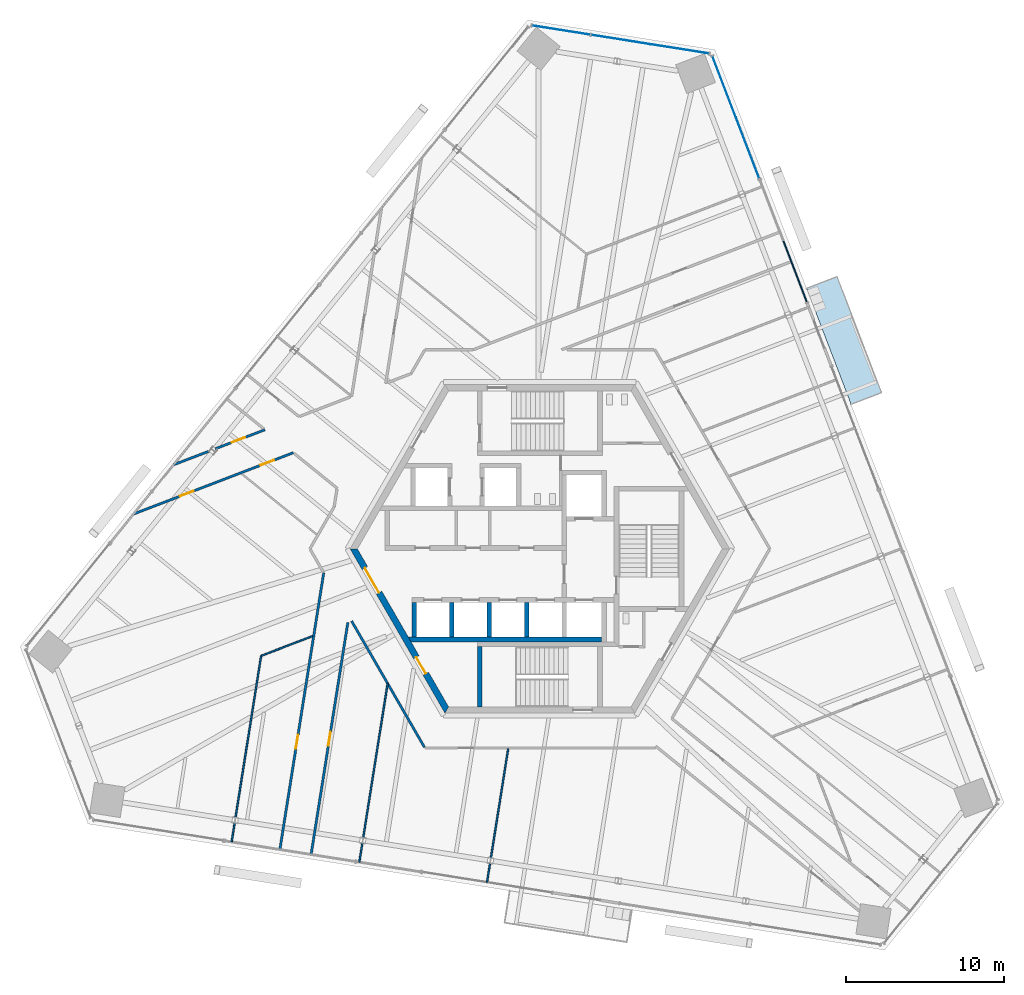
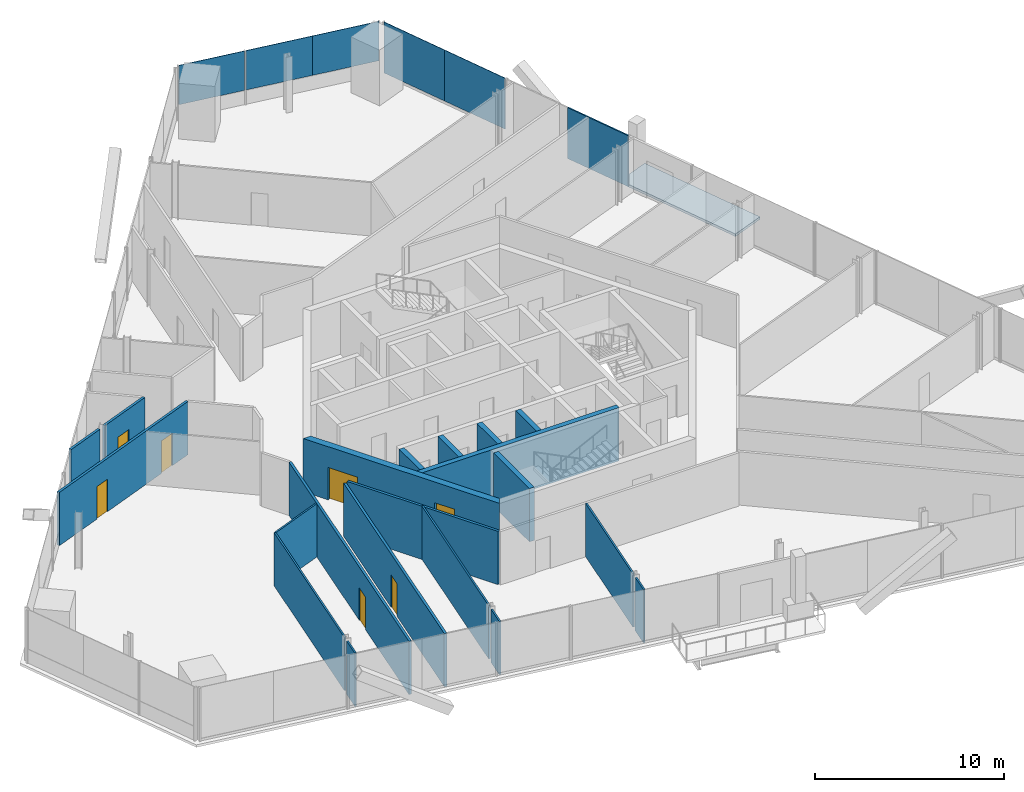
# One storey, part 11 of 19: 20 walls, 7 doors, 6 plates, 1 slab, 7 openings, 3 elements without a shape of their own.
"""IFC4 building model written with IfcOpenShell, lengths in metres."""

from ifc_helpers import new_model, si_unit, direction, frame, frame_2d, origin, origin_2d, place, context, subcontext, project, spatial, polyline, rectangle, outline, extrude, source, transform, mapped, material, layer, layer_set, type_object, element, fill, aggregate, save


model = new_model("IFC4")

# Units and contexts
model_context = context("Model", 3, precision=1e-05, world=origin(), true_north=direction((0.0, 1.0)))
body_context = subcontext(model_context, "Body", "Model", "MODEL_VIEW")
ifc_project = project(units=[si_unit("LENGTHUNIT", "METRE"), si_unit("AREAUNIT", "SQUARE_METRE"), si_unit("VOLUMEUNIT", "CUBIC_METRE"), si_unit("PLANEANGLEUNIT", "RADIAN"), si_unit("MASSUNIT", "GRAM", prefix="KILO")], contexts=[model_context])

# Site, building, storey
site_placement = place(None, origin())
site = spatial("IfcSite", under=ifc_project, at=site_placement, CompositionType="ELEMENT")
building_placement = place(site_placement, origin())
building = spatial("IfcBuilding", under=site, at=building_placement, Name="Triune Harvest Tower", CompositionType="ELEMENT")
storey_placement = place(building_placement, frame((0.0, 0.0, 164.10009765625)))
storey = spatial("IfcBuildingStorey", under=building, at=storey_placement, Name="L42", CompositionType="ELEMENT", Elevation=164.10009765625)

# Slab
ifc_material_1 = material(Name="Concrete 40 MPa", Category="concrete")
ifc_layer_1 = layer(ifc_material_1, 0.159912109375)
ifc_layer_set_1 = layer_set([ifc_layer_1], Name="Concrete 40 MPa")
slab_type = type_object("IfcSlabType", Name="BA-1 balcony slab 160", PredefinedType="FLOOR", material=ifc_layer_set_1)
slab_placement = place(storey_placement, frame((0.0, 0.0, -0.16015625)))
element("IfcSlab", 1, at=slab_placement, inside=storey, type_object=slab_type, Name="Balcony slab B4-F1 L42.8", PredefinedType="FLOOR", context=body_context, shape_type="SweptSolid", body=[
    extrude(outline(polyline([(19.682373046875, 9.14013671875), (16.868408203125, 16.470703125), (18.792724609375, 17.20947265625), (21.606689453125, 9.87890625), (19.682373046875, 9.14013671875)])), origin(), (0.0, 0.0, 1.0), 0.16015625),
])

# Curtain wall, plate
ifc_material_2 = material(Name="Aluminium bronze anodised", Category="aluminium")
curtain_wall_type_1 = type_object("IfcCurtainWallType", Name="CW-10 Balcony window wall with insulated spandrel infill", PredefinedType="NOTDEFINED", material=ifc_material_2)
curtain_wall_1_placement = place(storey_placement, origin())
curtain_wall_1 = element("IfcCurtainWall", 2, at=curtain_wall_1_placement, inside=storey, type_object=curtain_wall_type_1, Name="CW-10 B4-F1 L42 run 2")
ifc_material_3 = material(Name="Insulated spandrel panel, bronze aluminium pan", Category="aluminium")
ifc_layer_2 = layer(ifc_material_3, 0.080078125)
ifc_layer_set_2 = layer_set([ifc_layer_2], Name="Insulated spandrel panel, bronze aluminium pan")
plate_type_1 = type_object("IfcPlateType", Name="SP-1 insulated spandrel panel 80", PredefinedType="CURTAIN_PANEL", material=ifc_layer_set_2)
shared_shape_1 = source(origin(), body_context, "Body", "SweptSolid", [
    extrude(rectangle(XDim=4.12353515625, YDim=0.080078125, at=origin_2d()), origin(), (0.0, 0.0, 1.0), 3.2900390625),
])
plate_1_placement = place(storey_placement, frame((16.141357421875, 17.52783203125, 0.14990234375), z_axis=(0.0, 0.0, 1.0), x_axis=(-0.358365075175, 0.93358152986, 0.0)))
plate_1 = element("IfcPlate", 3, at=plate_1_placement, type_object=plate_type_1, Name="CW-10 panel B4-F1 2.1", PredefinedType="CURTAIN_PANEL", context=body_context, shape_type="MappedRepresentation", body=[
    mapped(shared_shape_1, transform((0.0, 0.0, 0.0), scale=1.0)),
])
aggregate(curtain_wall_1, [plate_1])

# Curtain wall, plates
ifc_material_4 = material(Name="Aluminium bronze anodised", Category="aluminium")
curtain_wall_type_2 = type_object("IfcCurtainWallType", Name="CW-1 Tower stick curtain wall", PredefinedType="NOTDEFINED", material=ifc_material_4)
curtain_wall_2_placement = place(storey_placement, origin())
curtain_wall_2 = element("IfcCurtainWall", 4, at=curtain_wall_2_placement, inside=storey, type_object=curtain_wall_type_2, Name="CW-1 B4-F2 L42 run 1")
ifc_material_5 = material(Name="Glass", Category="glass")
ifc_layer_3 = layer(ifc_material_5, 0.031982421875)
ifc_layer_set_3 = layer_set([ifc_layer_3], Name="Glass")
plate_type_2 = type_object("IfcPlateType", Name="GL-1 panel 32", PredefinedType="CURTAIN_PANEL", material=ifc_layer_set_3)
shared_shape_2 = source(origin(), body_context, "Body", "SweptSolid", [
    extrude(rectangle(XDim=3.74951171875, YDim=0.031982421875, at=origin_2d()), origin(), (0.0, 0.0, 1.0), 2.5400390625),
])
plate_2_placement = place(storey_placement, frame((8.841552734375, 31.614990234375, 0.89990234375), z_axis=(0.0, 0.0, 1.0), x_axis=(-0.987688615663, 0.156432728322, 0.0)))
plate_2 = element("IfcPlate", 5, at=plate_2_placement, type_object=plate_type_2, Name="CW-1 panel B4-F2 1.1", PredefinedType="CURTAIN_PANEL", context=body_context, shape_type="MappedRepresentation", body=[
    mapped(shared_shape_2, transform((0.0, 0.0, 0.0), scale=1.0)),
])
shared_shape_3 = source(origin(), body_context, "Body", "SweptSolid", [
    extrude(rectangle(XDim=3.787109375, YDim=0.031982421875, at=origin_2d()), origin(), (0.0, 0.0, 1.0), 2.5400390625),
])
plate_3_placement = place(storey_placement, frame((5.11962890625, 32.20458984375, 0.89990234375), z_axis=(0.0, 0.0, 1.0), x_axis=(-0.987688615663, 0.156432728322, 0.0)))
plate_3 = element("IfcPlate", 6, at=plate_3_placement, type_object=plate_type_2, Name="CW-1 panel B4-F2 1.2", PredefinedType="CURTAIN_PANEL", context=body_context, shape_type="MappedRepresentation", body=[
    mapped(shared_shape_3, transform((0.0, 0.0, 0.0), scale=1.0)),
])
shared_shape_4 = source(origin(), body_context, "Body", "SweptSolid", [
    extrude(rectangle(XDim=3.7119140625, YDim=0.031982421875, at=origin_2d()), origin(), (0.0, 0.0, 1.0), 2.5400390625),
])
plate_4_placement = place(storey_placement, frame((1.34228515625, 32.802734375, 0.89990234375), z_axis=(0.0, 0.0, 1.0), x_axis=(-0.987688615663, 0.156432728322, 0.0)))
plate_4 = element("IfcPlate", 7, at=plate_4_placement, type_object=plate_type_2, Name="CW-1 panel B4-F2 1.3", PredefinedType="CURTAIN_PANEL", context=body_context, shape_type="MappedRepresentation", body=[
    mapped(shared_shape_4, transform((0.0, 0.0, 0.0), scale=1.0)),
])
aggregate(curtain_wall_2, [plate_2, plate_3, plate_4])

ifc_material_6 = material(Name="Aluminium bronze anodised", Category="aluminium")
curtain_wall_type_3 = type_object("IfcCurtainWallType", Name="CW-6 Balcony window wall", PredefinedType="NOTDEFINED", material=ifc_material_6)
curtain_wall_3_placement = place(storey_placement, origin())
curtain_wall_3 = element("IfcCurtainWall", 8, at=curtain_wall_3_placement, inside=storey, type_object=curtain_wall_type_3, Name="CW-6 B4-F1 L42 run 1002")
ifc_material_7 = material(Name="Glass", Category="glass")
ifc_layer_4 = layer(ifc_material_7, 0.030029296875)
ifc_layer_set_4 = layer_set([ifc_layer_4], Name="Glass")
plate_type_3 = type_object("IfcPlateType", Name="GL-6 panel 30", PredefinedType="CURTAIN_PANEL", material=ifc_layer_set_4)
shared_shape_5 = source(origin(), body_context, "Body", "SweptSolid", [
    extrude(rectangle(XDim=4.12353515625, YDim=0.030029296875, at=origin_2d()), origin(), (0.0, 0.0, 1.0), 3.2900390625),
])
plate_5_placement = place(storey_placement, frame((13.132080078125, 25.367431640625, 0.14990234375), z_axis=(0.0, 0.0, 1.0), x_axis=(-0.358373469426, 0.933578307595, 0.0)))
plate_5 = element("IfcPlate", 9, at=plate_5_placement, type_object=plate_type_3, Name="CW-6 panel B4-F1 1002.1", PredefinedType="CURTAIN_PANEL", context=body_context, shape_type="MappedRepresentation", body=[
    mapped(shared_shape_5, transform((0.0, 0.0, 0.0), scale=1.0)),
])
plate_6_placement = place(storey_placement, frame((11.654296875, 29.217041015625, 0.14990234375), z_axis=(0.0, 0.0, 1.0), x_axis=(-0.358373469426, 0.933578307595, 0.0)))
plate_6 = element("IfcPlate", 10, at=plate_6_placement, type_object=plate_type_3, Name="CW-6 panel B4-F1 1002.2", PredefinedType="CURTAIN_PANEL", context=body_context, shape_type="MappedRepresentation", body=[
    mapped(shared_shape_5, transform((0.0, 0.0, 0.0), scale=1.0)),
])
aggregate(curtain_wall_3, [plate_5, plate_6])

# Wall, openings, doors
ifc_material_8 = material(Name="Concrete 70 MPa", Category="concrete")
ifc_layer_5 = layer(ifc_material_8, 0.39990234375)
ifc_layer_set_5 = layer_set([ifc_layer_5], Name="Concrete 70 MPa")
wall_type_1 = type_object("IfcWallType", Name="Core wall 400", PredefinedType="SHEAR", material=ifc_layer_set_5)
shared_shape_6 = source(origin(), body_context, "Body", "SweptSolid", [
    extrude(outline(polyline([(-0.115478515625, -0.199951171875), (11.884521484375, -0.199951171875), (11.653564453125, 0.199951171875), (0.115478515625, 0.199951171875), (-0.115478515625, -0.199951171875)])), origin(), (0.0, 0.0, 1.0), 3.43994140625),
])
wall_1_placement = place(storey_placement, frame((-11.76904296875, 0.0, 0.0), z_axis=(0.0, 0.0, 1.0), x_axis=(0.499996592174, -0.866027371285, 0.0)))
wall_1 = element("IfcWall", 11, at=wall_1_placement, inside=storey, type_object=wall_type_1, Name="Hexagon 3 wall", PredefinedType="SHEAR", context=body_context, shape_type="MappedRepresentation", body=[
    mapped(shared_shape_6, transform((0.0, 0.0, 0.0), scale=1.0)),
])
opening_1_placement = place(wall_1_placement, frame((1.404541015625, 0.0, 0.0)))
opening_1 = element("IfcOpeningElement", 12, at=opening_1_placement, cuts=wall_1, Name="Opening CD-LS", PredefinedType="OPENING", context=body_context, shape_type="SweptSolid", body=[
    extrude(rectangle(XDim=1.800048828125, YDim=2.10009765625, at=frame_2d((0.89990234375, 1.050048828125))), frame((0.0, 0.2099609375, 0.0), z_axis=(0.0, -1.0, 0.0), x_axis=(1.0, 0.0, 0.0)), (0.0, 0.0, 1.0), 0.419921875),
])
opening_2_placement = place(wall_1_placement, frame((7.91455078125, 0.0, 0.0)))
opening_2 = element("IfcOpeningElement", 13, at=opening_2_placement, cuts=wall_1, Name="Opening CD-SWP", PredefinedType="OPENING", context=body_context, shape_type="SweptSolid", body=[
    extrude(rectangle(XDim=1.199951171875, YDim=2.10009765625, at=frame_2d((0.60009765625, 1.050048828125))), frame((0.0, 0.2099609375, 0.0), z_axis=(0.0, -1.0, 0.0), x_axis=(1.0, 0.0, 0.0)), (0.0, 0.0, 1.0), 0.419921875),
])
ifc_material_9 = material(Name="Steel S235", Category="steel")
door_type_1 = type_object("IfcDoorType", Name="Lobby door 1800 FD120", OperationType="DOUBLE_DOOR_DOUBLE_SWING", PredefinedType="DOOR", material=ifc_material_9)
door_1_placement = place(opening_1_placement, frame((1.800048828125, 0.0, 0.0), z_axis=(0.0, 0.0, 1.0), x_axis=(-1.0, 0.0, 0.0)))
door_1 = element("IfcDoor", 14, at=door_1_placement, inside=storey, type_object=door_type_1, Name="Door CD-LS", OperationType="DOUBLE_DOOR_DOUBLE_SWING", OverallHeight=2.10009765625, OverallWidth=1.800048828125, PredefinedType="DOOR", context=body_context, shape_type="SweptSolid", body=[
    extrude(rectangle(XDim=1.800048828125, YDim=2.10009765625, at=frame_2d((0.89990234375, 1.050048828125))), frame((0.0, 0.02490234375, 0.0), z_axis=(0.0, -1.0, 0.0), x_axis=(1.0, 0.0, 0.0)), (0.0, 0.0, 1.0), 0.050048828125),
])
fill(opening_1, door_1)
ifc_material_10 = material(Name="Steel S235", Category="steel")
door_type_2 = type_object("IfcDoorType", Name="Service door 1200 FD120", OperationType="SINGLE_SWING_LEFT", PredefinedType="DOOR", material=ifc_material_10)
door_2_placement = place(opening_2_placement, frame((1.199951171875, 0.0, 0.0), z_axis=(0.0, 0.0, 1.0), x_axis=(-1.0, 0.0, 0.0)))
door_2 = element("IfcDoor", 15, at=door_2_placement, inside=storey, type_object=door_type_2, Name="Door CD-SWP", OperationType="SINGLE_SWING_RIGHT", OverallHeight=2.10009765625, OverallWidth=1.199951171875, PredefinedType="DOOR", context=body_context, shape_type="SweptSolid", body=[
    extrude(rectangle(XDim=1.199951171875, YDim=2.10009765625, at=frame_2d((0.60009765625, 1.050048828125))), frame((0.0, 0.02490234375, 0.0), z_axis=(0.0, -1.0, 0.0), x_axis=(1.0, 0.0, 0.0)), (0.0, 0.0, 1.0), 0.050048828125),
])
fill(opening_2, door_2)

# Walls
ifc_material_11 = material(Name="Concrete 70 MPa", Category="concrete")
ifc_layer_6 = layer(ifc_material_11, 0.300048828125)
ifc_layer_set_6 = layer_set([ifc_layer_6], Name="Concrete 70 MPa")
wall_type_2 = type_object("IfcWallType", Name="Core wall 300", PredefinedType="SHEAR", material=ifc_layer_set_6)
shared_shape_7 = source(origin(), body_context, "Body", "SweptSolid", [
    extrude(outline(polyline([(12.0, -0.14990234375), (-0.039794921875, -0.14990234375), (-0.212890625, 0.14990234375), (12.0, 0.14990234375), (12.0, -0.14990234375)])), origin(), (0.0, 0.0, 1.0), 3.43994140625),
])
wall_2_placement = place(storey_placement, frame((-8.10009765625, -5.739990234375, 0.0), z_axis=(0.0, 0.0, 1.0), x_axis=(1.0, 0.0, 0.0)))
element("IfcWall", 16, at=wall_2_placement, inside=storey, type_object=wall_type_2, Name="South back wall", PredefinedType="SHEAR", context=body_context, shape_type="MappedRepresentation", body=[
    mapped(shared_shape_7, transform((0.0, 0.0, 0.0), scale=1.0)),
])
shared_shape_8 = source(origin(), body_context, "Body", "SweptSolid", [
    extrude(rectangle(XDim=2.2001953125, YDim=0.300048828125, at=frame_2d((1.10009765625, 0.0))), origin(), (0.0, 0.0, 1.0), 3.43994140625),
])
for number, where, z_axis, x_axis, name in (
    (17, (-7.949951171875, -5.590087890625, 0.0), (0.0, 0.0, 1.0), (0.0, 1.0, 0.0), "South end west wall"),
    (18, (-5.574951171875, -5.590087890625, 0.0), (0.0, 0.0, 1.0), (0.0, 1.0, 0.0), "South cross 1 wall"),
    (19, (-3.199951171875, -5.590087890625, 0.0), (0.0, 0.0, 1.0), (0.0, 1.0, 0.0), "South cross 2 wall"),
    (20, (-0.824951171875, -5.590087890625, 0.0), (0.0, 0.0, 1.0), (0.0, 1.0, 0.0), "South cross 3 wall"),
):
    element("IfcWall", number, at=place(storey_placement, frame(where, z_axis=z_axis, x_axis=x_axis)), inside=storey, type_object=wall_type_2, Name=name, PredefinedType="SHEAR", context=body_context, shape_type="MappedRepresentation", body=[
        mapped(shared_shape_8, transform((0.0, 0.0, 0.0), scale=1.0)),
    ])
shared_shape_9 = source(origin(), body_context, "Body", "SweptSolid", [
    extrude(outline(polyline([(3.800048828125, -0.14990234375), (-0.00439453125, -0.14990234375), (-0.00439453125, 0.14990234375), (3.800048828125, 0.14990234375), (3.800048828125, -0.14990234375)])), origin(), (0.0, 0.0, 1.0), 3.43994140625),
])
wall_3_placement = place(storey_placement, frame((-3.800048828125, -9.989990234375, 0.0), z_axis=(0.0, 0.0, 1.0), x_axis=(0.0, 1.0, 0.0)))
element("IfcWall", 21, at=wall_3_placement, inside=storey, type_object=wall_type_2, Name="Stair s west wall", PredefinedType="SHEAR", context=body_context, shape_type="MappedRepresentation", body=[
    mapped(shared_shape_9, transform((0.0, 0.0, 0.0), scale=1.0)),
])
ifc_material_12 = material(Name="Gypsum board on steel studs", Category="steel")
ifc_layer_7 = layer(ifc_material_12, 0.10009765625)
ifc_layer_set_7 = layer_set([ifc_layer_7], Name="Gypsum board on steel studs")
wall_type_3 = type_object("IfcWallType", Name="Partition 100 mm", PredefinedType="PARTITIONING", material=ifc_layer_set_7)
shared_shape_10 = source(origin(), body_context, "Body", "SweptSolid", [
    extrude(rectangle(XDim=1.212158203125, YDim=0.10009765625, at=frame_2d((0.60595703125, 0.0))), origin(), (0.0, 0.0, 1.0), 3.43994140625),
])
wall_4_placement = place(storey_placement, frame((-3.340087890625, -21.087890625, 0.0), z_axis=(0.0, 0.0, 1.0), x_axis=(0.156490008952, 0.987679541703, 0.0)))
element("IfcWall", 22, at=wall_4_placement, inside=storey, type_object=wall_type_3, Name="Partition L42 043", PredefinedType="PARTITIONING", context=body_context, shape_type="MappedRepresentation", body=[
    mapped(shared_shape_10, transform((0.0, 0.0, 0.0), scale=1.0)),
])
shared_shape_11 = source(origin(), body_context, "Body", "SweptSolid", [
    extrude(rectangle(XDim=1.2119140625, YDim=0.10009765625, at=frame_2d((0.60595703125, 0.0))), origin(), (0.0, 0.0, 1.0), 3.43994140625),
])
for number, where, z_axis, x_axis, name in (
    (23, (-11.414306640625, -19.808837890625, 0.0), (0.0, 0.0, 1.0), (0.15652114429, 0.987674608052, 0.0), "Partition L42 046"),
    (24, (-19.48876953125, -18.530029296875, 0.0), (0.0, 0.0, 1.0), (0.15652114429, 0.987674608052, 0.0), "Partition L42 054"),
):
    element("IfcWall", number, at=place(storey_placement, frame(where, z_axis=z_axis, x_axis=x_axis)), inside=storey, type_object=wall_type_3, Name=name, PredefinedType="PARTITIONING", context=body_context, shape_type="MappedRepresentation", body=[
        mapped(shared_shape_11, transform((0.0, 0.0, 0.0), scale=1.0)),
    ])
shared_shape_12 = source(origin(), body_context, "Body", "SweptSolid", [
    extrude(rectangle(XDim=10.345458984375, YDim=0.10009765625, at=frame_2d((5.1728515625, 0.0))), origin(), (0.0, 0.0, 1.0), 3.43994140625),
])
wall_5_placement = place(storey_placement, frame((-19.243896484375, -16.98388671875, 0.0), z_axis=(0.0, 0.0, 1.0), x_axis=(0.156437596398, 0.987687844632, 0.0)))
element("IfcWall", 25, at=wall_5_placement, inside=storey, type_object=wall_type_3, Name="Partition L42 055", PredefinedType="PARTITIONING", context=body_context, shape_type="MappedRepresentation", body=[
    mapped(shared_shape_12, transform((0.0, 0.0, 0.0), scale=1.0)),
])
ifc_material_13 = material(Name="Gypsum board on steel studs", Category="steel")
ifc_layer_8 = layer(ifc_material_13, 0.14990234375)
ifc_layer_set_8 = layer_set([ifc_layer_8], Name="Gypsum board on steel studs")
wall_type_4 = type_object("IfcWallType", Name="Fire Partition 150 mm", PredefinedType="PARTITIONING", material=ifc_layer_set_8)
shared_shape_13 = source(origin(), body_context, "Body", "SweptSolid", [
    extrude(rectangle(XDim=9.218017578125, YDim=0.14990234375, at=frame_2d((4.60888671875, 0.0))), origin(), (0.0, 0.0, 1.0), 3.43994140625),
])
wall_6_placement = place(storey_placement, frame((-11.904052734375, -4.566162109375, 0.0), z_axis=(0.0, 0.0, 1.0), x_axis=(0.499984576645, -0.86603430828, 0.0)))
element("IfcWall", 26, at=wall_6_placement, inside=storey, type_object=wall_type_4, Name="Partition L42 003", PredefinedType="PARTITIONING", context=body_context, shape_type="MappedRepresentation", body=[
    mapped(shared_shape_13, transform((0.0, 0.0, 0.0), scale=1.0)),
])
shared_shape_14 = source(origin(), body_context, "Body", "SweptSolid", [
    extrude(rectangle(XDim=3.455078125, YDim=0.10009765625, at=frame_2d((1.7275390625, 0.0))), origin(), (0.0, 0.0, 1.0), 3.43994140625),
])
wall_7_placement = place(storey_placement, frame((-17.606689453125, -6.7587890625, 0.0), z_axis=(0.0, 0.0, 1.0), x_axis=(0.933571244884, 0.358391867549, 0.0)))
element("IfcWall", 27, at=wall_7_placement, inside=storey, type_object=wall_type_3, Name="Partition L42 025", PredefinedType="PARTITIONING", context=body_context, shape_type="MappedRepresentation", body=[
    mapped(shared_shape_14, transform((0.0, 0.0, 0.0), scale=1.0)),
])
shared_shape_15 = source(origin(), body_context, "Body", "SweptSolid", [
    extrude(rectangle(XDim=6.975830078125, YDim=0.10009765625, at=frame_2d((3.48779296875, 0.0))), origin(), (0.0, 0.0, 1.0), 3.43994140625),
])
wall_8_placement = place(storey_placement, frame((-3.09521484375, -19.54150390625, 0.0), z_axis=(0.0, 0.0, 1.0), x_axis=(0.156442410167, 0.987687082178, 0.0)))
element("IfcWall", 28, at=wall_8_placement, inside=storey, type_object=wall_type_3, Name="Partition L42 044", PredefinedType="PARTITIONING", context=body_context, shape_type="MappedRepresentation", body=[
    mapped(shared_shape_15, transform((0.0, 0.0, 0.0), scale=1.0)),
])

# Wall, openings, doors
shared_shape_16 = source(origin(), body_context, "Body", "SweptSolid", [
    extrude(rectangle(XDim=10.817138671875, YDim=0.14990234375, at=frame_2d((5.40869140625, 0.0))), origin(), (0.0, 0.0, 1.0), 3.43994140625),
])
wall_9_placement = place(storey_placement, frame((-25.689697265625, 2.202392578125, 0.0), z_axis=(0.0, 0.0, 1.0), x_axis=(0.933581573847, 0.358364960583, 0.0)))
wall_9 = element("IfcWall", 29, at=wall_9_placement, inside=storey, type_object=wall_type_4, Name="Partition L42 031", PredefinedType="PARTITIONING", context=body_context, shape_type="MappedRepresentation", body=[
    mapped(shared_shape_16, transform((0.0, 0.0, 0.0), scale=1.0)),
])
opening_3_placement = place(wall_9_placement, frame((8.60205078125, 0.0, 0.0)))
opening_3 = element("IfcOpeningElement", 30, at=opening_3_placement, cuts=wall_9, Name="Opening L42-012", PredefinedType="OPENING", context=body_context, shape_type="SweptSolid", body=[
    extrude(rectangle(XDim=0.89990234375, YDim=2.10009765625, at=frame_2d((0.449951171875, 1.050048828125))), frame((0.0, 0.0849609375, 0.0), z_axis=(0.0, -1.0, 0.0), x_axis=(1.0, 0.0, 0.0)), (0.0, 0.0, 1.0), 0.169921875),
])
opening_4_placement = place(wall_9_placement, frame((3.14990234375, 0.0, 0.0)))
opening_4 = element("IfcOpeningElement", 31, at=opening_4_placement, cuts=wall_9, Name="Opening L42-013", PredefinedType="OPENING", context=body_context, shape_type="SweptSolid", body=[
    extrude(rectangle(XDim=0.89990234375, YDim=2.10009765625, at=frame_2d((0.449951171875, 1.050048828125))), frame((0.0, 0.0849609375, 0.0), z_axis=(0.0, -1.0, 0.0), x_axis=(1.0, 0.0, 0.0)), (0.0, 0.0, 1.0), 0.169921875),
])
ifc_material_14 = material(Name="Timber and steel door set", Category="steel")
door_type_3 = type_object("IfcDoorType", Name="Single leaf door FD30 left hand 900 x 2100", OperationType="SINGLE_SWING_LEFT", PredefinedType="DOOR", material=ifc_material_14)
door_3_placement = place(opening_3_placement, origin())
door_3 = element("IfcDoor", 32, at=door_3_placement, inside=storey, type_object=door_type_3, Name="Door L42-012 Meeting Room 42.12", OperationType="SINGLE_SWING_LEFT", OverallHeight=2.10009765625, OverallWidth=0.89990234375, PredefinedType="DOOR", context=body_context, shape_type="SweptSolid", body=[
    extrude(rectangle(XDim=0.89990234375, YDim=2.10009765625, at=frame_2d((0.449951171875, 1.050048828125))), frame((0.0, 0.02490234375, 0.0), z_axis=(0.0, -1.0, 0.0), x_axis=(1.0, 0.0, 0.0)), (0.0, 0.0, 1.0), 0.050048828125),
])
fill(opening_3, door_3)
ifc_material_15 = material(Name="Timber and steel door set", Category="steel")
door_type_4 = type_object("IfcDoorType", Name="Single leaf door FD30 right hand 900 x 2100", OperationType="SINGLE_SWING_RIGHT", PredefinedType="DOOR", material=ifc_material_15)
door_4_placement = place(opening_4_placement, origin())
door_4 = element("IfcDoor", 33, at=door_4_placement, inside=storey, type_object=door_type_4, Name="Door L42-013 Office 42.13", OperationType="SINGLE_SWING_RIGHT", OverallHeight=2.10009765625, OverallWidth=0.89990234375, PredefinedType="DOOR", context=body_context, shape_type="SweptSolid", body=[
    extrude(rectangle(XDim=0.89990234375, YDim=2.10009765625, at=frame_2d((0.449951171875, 1.050048828125))), frame((0.0, 0.02490234375, 0.0), z_axis=(0.0, -1.0, 0.0), x_axis=(1.0, 0.0, 0.0)), (0.0, 0.0, 1.0), 0.050048828125),
])
fill(opening_4, door_4)

# Wall
shared_shape_17 = source(origin(), body_context, "Body", "SweptSolid", [
    extrude(rectangle(XDim=2.42919921875, YDim=0.14990234375, at=frame_2d((1.214599609375, 0.0))), origin(), (0.0, 0.0, 1.0), 3.43994140625),
])
wall_10_placement = place(storey_placement, frame((-23.17236328125, 5.310791015625, 0.0), z_axis=(0.0, 0.0, 1.0), x_axis=(0.933570776574, 0.358393087443, 0.0)))
element("IfcWall", 34, at=wall_10_placement, inside=storey, type_object=wall_type_4, Name="Partition L42 033", PredefinedType="PARTITIONING", context=body_context, shape_type="MappedRepresentation", body=[
    mapped(shared_shape_17, transform((0.0, 0.0, 0.0), scale=1.0)),
])

# Wall, opening, door
shared_shape_18 = source(origin(), body_context, "Body", "SweptSolid", [
    extrude(rectangle(XDim=3.361083984375, YDim=0.14990234375, at=frame_2d((1.6806640625, 0.0))), origin(), (0.0, 0.0, 1.0), 3.43994140625),
])
wall_11_placement = place(storey_placement, frame((-20.523681640625, 6.32763671875, 0.0), z_axis=(0.0, 0.0, 1.0), x_axis=(0.933575674148, 0.358380329592, 0.0)))
wall_11 = element("IfcWall", 35, at=wall_11_placement, inside=storey, type_object=wall_type_4, Name="Partition L42 034", PredefinedType="PARTITIONING", context=body_context, shape_type="MappedRepresentation", body=[
    mapped(shared_shape_18, transform((0.0, 0.0, 0.0), scale=1.0)),
])
opening_5_placement = place(wall_11_placement, frame((1.111083984375, 0.0, 0.0)))
opening_5 = element("IfcOpeningElement", 36, at=opening_5_placement, cuts=wall_11, Name="Opening L42-014", PredefinedType="OPENING", context=body_context, shape_type="SweptSolid", body=[
    extrude(rectangle(XDim=0.89990234375, YDim=2.10009765625, at=frame_2d((0.449951171875, 1.050048828125))), frame((0.0, 0.0849609375, 0.0), z_axis=(0.0, -1.0, 0.0), x_axis=(1.0, 0.0, 0.0)), (0.0, 0.0, 1.0), 0.169921875),
])
door_5_placement = place(opening_5_placement, origin())
door_5 = element("IfcDoor", 37, at=door_5_placement, inside=storey, type_object=door_type_3, Name="Door L42-014 Meeting Room 42.14", OperationType="SINGLE_SWING_LEFT", OverallHeight=2.10009765625, OverallWidth=0.89990234375, PredefinedType="DOOR", context=body_context, shape_type="SweptSolid", body=[
    extrude(rectangle(XDim=0.89990234375, YDim=2.10009765625, at=frame_2d((0.449951171875, 1.050048828125))), frame((0.0, 0.02490234375, 0.0), z_axis=(0.0, -1.0, 0.0), x_axis=(1.0, 0.0, 0.0)), (0.0, 0.0, 1.0), 0.050048828125),
])
fill(opening_5, door_5)

# Wall
shared_shape_19 = source(origin(), body_context, "Body", "SweptSolid", [
    extrude(rectangle(XDim=9.87109375, YDim=0.10009765625, at=frame_2d((4.935546875, 0.0))), origin(), (0.0, 0.0, 1.0), 3.43994140625),
])
wall_12_placement = place(storey_placement, frame((-11.16943359375, -18.2626953125, 0.0), z_axis=(0.0, 0.0, 1.0), x_axis=(0.15643629296, 0.987688051079, 0.0)))
element("IfcWall", 38, at=wall_12_placement, inside=storey, type_object=wall_type_3, Name="Partition L42 047", PredefinedType="PARTITIONING", context=body_context, shape_type="MappedRepresentation", body=[
    mapped(shared_shape_19, transform((0.0, 0.0, 0.0), scale=1.0)),
])

# Wall, opening, door
shared_shape_20 = source(origin(), body_context, "Body", "SweptSolid", [
    extrude(rectangle(XDim=14.851806640625, YDim=0.14990234375, at=frame_2d((7.42578125, 0.0))), origin(), (0.0, 0.0, 1.0), 3.43994140625),
])
wall_13_placement = place(storey_placement, frame((-14.4638671875, -19.325927734375, 0.0), z_axis=(0.0, 0.0, 1.0), x_axis=(0.15642852022, 0.987689282144, 0.0)))
wall_13 = element("IfcWall", 39, at=wall_13_placement, inside=storey, type_object=wall_type_4, Name="Partition L42 048", PredefinedType="PARTITIONING", context=body_context, shape_type="MappedRepresentation", body=[
    mapped(shared_shape_20, transform((0.0, 0.0, 0.0), scale=1.0)),
])
opening_6_placement = place(wall_13_placement, frame((6.949951171875, 0.0, 0.0)))
opening_6 = element("IfcOpeningElement", 40, at=opening_6_placement, cuts=wall_13, Name="Opening L42-016", PredefinedType="OPENING", context=body_context, shape_type="SweptSolid", body=[
    extrude(rectangle(XDim=0.89990234375, YDim=2.10009765625, at=frame_2d((0.449951171875, 1.050048828125))), frame((0.0, 0.0849609375, 0.0), z_axis=(0.0, -1.0, 0.0), x_axis=(1.0, 0.0, 0.0)), (0.0, 0.0, 1.0), 0.169921875),
])
door_6_placement = place(opening_6_placement, origin())
door_6 = element("IfcDoor", 41, at=door_6_placement, inside=storey, type_object=door_type_4, Name="Door L42-016 Meeting Room 42.16", OperationType="SINGLE_SWING_RIGHT", OverallHeight=2.10009765625, OverallWidth=0.89990234375, PredefinedType="DOOR", context=body_context, shape_type="SweptSolid", body=[
    extrude(rectangle(XDim=0.89990234375, YDim=2.10009765625, at=frame_2d((0.449951171875, 1.050048828125))), frame((0.0, 0.02490234375, 0.0), z_axis=(0.0, -1.0, 0.0), x_axis=(1.0, 0.0, 0.0)), (0.0, 0.0, 1.0), 0.050048828125),
])
fill(opening_6, door_6)

shared_shape_21 = source(origin(), body_context, "Body", "SweptSolid", [
    extrude(rectangle(XDim=17.71875, YDim=0.14990234375, at=frame_2d((8.859375, 0.0))), origin(), (0.0, 0.0, 1.0), 3.43994140625),
])
wall_14_placement = place(storey_placement, frame((-16.439208984375, -19.012939453125, 0.0), z_axis=(0.0, 0.0, 1.0), x_axis=(0.15642812291, 0.987689345069, 0.0)))
wall_14 = element("IfcWall", 42, at=wall_14_placement, inside=storey, type_object=wall_type_4, Name="Partition L42 050", PredefinedType="PARTITIONING", context=body_context, shape_type="MappedRepresentation", body=[
    mapped(shared_shape_21, transform((0.0, 0.0, 0.0), scale=1.0)),
])
opening_7_placement = place(wall_14_placement, frame((6.443603515625, 0.0, 0.0)))
opening_7 = element("IfcOpeningElement", 43, at=opening_7_placement, cuts=wall_14, Name="Opening L42-015", PredefinedType="OPENING", context=body_context, shape_type="SweptSolid", body=[
    extrude(rectangle(XDim=0.89990234375, YDim=2.10009765625, at=frame_2d((0.449951171875, 1.050048828125))), frame((0.0, 0.0849609375, 0.0), z_axis=(0.0, -1.0, 0.0), x_axis=(1.0, 0.0, 0.0)), (0.0, 0.0, 1.0), 0.169921875),
])
door_7_placement = place(opening_7_placement, origin())
door_7 = element("IfcDoor", 44, at=door_7_placement, inside=storey, type_object=door_type_3, Name="Door L42-015 Office 42.15", OperationType="SINGLE_SWING_LEFT", OverallHeight=2.10009765625, OverallWidth=0.89990234375, PredefinedType="DOOR", context=body_context, shape_type="SweptSolid", body=[
    extrude(rectangle(XDim=0.89990234375, YDim=2.10009765625, at=frame_2d((0.449951171875, 1.050048828125))), frame((0.0, 0.02490234375, 0.0), z_axis=(0.0, -1.0, 0.0), x_axis=(1.0, 0.0, 0.0)), (0.0, 0.0, 1.0), 0.050048828125),
])
fill(opening_7, door_7)

save(model, "model.ifc")
